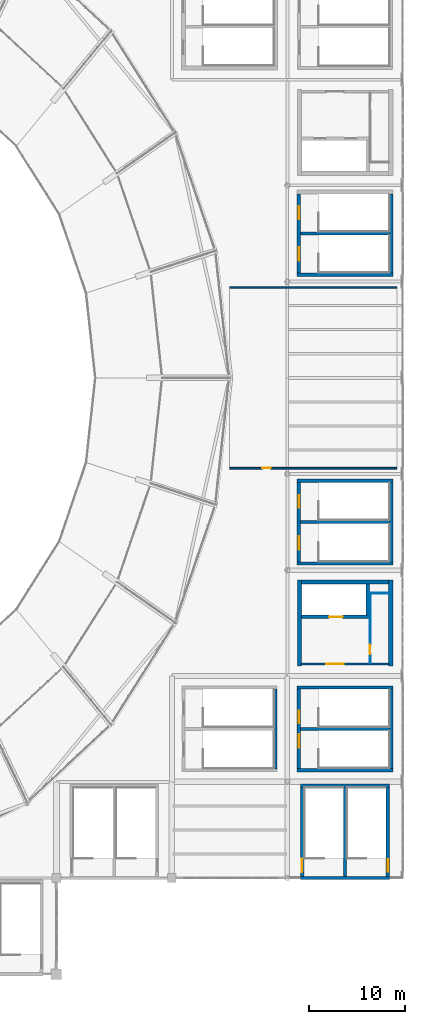
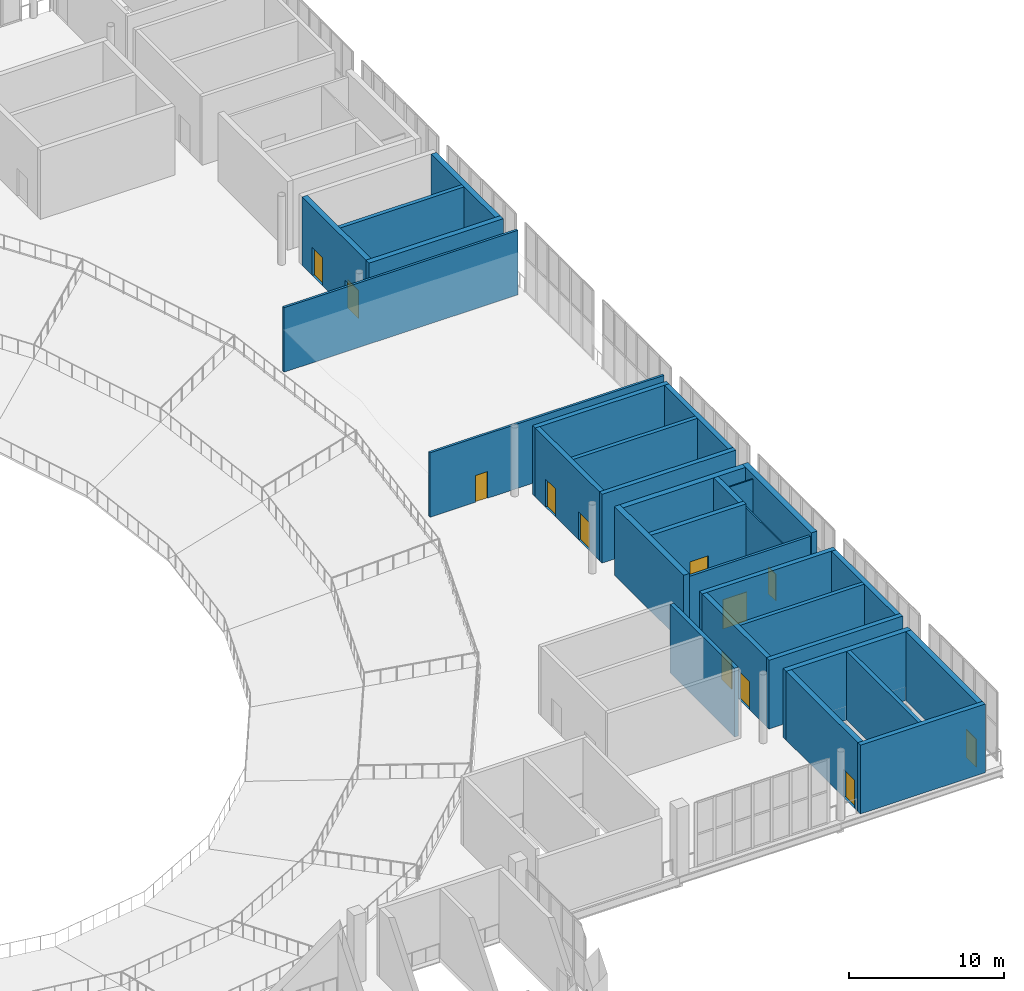
# One storey, part 56 of 74: 30 walls, 12 doors, 12 openings.
"""IFC4 building model written with IfcOpenShell, lengths in metres."""

from ifc_helpers import new_model, si_unit, direction, frame, frame_2d, origin, place, context, subcontext, project, spatial, rectangle, extrude, material, layer, layer_set, type_object, element, fill, save


model = new_model("IFC4")

# Units and contexts
model_context = context("Model", 3, precision=1e-05, world=origin(), true_north=direction((0.0, 1.0)))
body_context = subcontext(model_context, "Body", "Model", "MODEL_VIEW")
ifc_project = project(units=[si_unit("LENGTHUNIT", "METRE"), si_unit("AREAUNIT", "SQUARE_METRE"), si_unit("VOLUMEUNIT", "CUBIC_METRE"), si_unit("PLANEANGLEUNIT", "RADIAN"), si_unit("MASSUNIT", "GRAM", prefix="KILO")], contexts=[model_context])

# Site, building, storey
site_placement = place(None, origin())
site = spatial("IfcSite", under=ifc_project, at=site_placement, CompositionType="ELEMENT")
building_placement = place(site_placement, origin())
building = spatial("IfcBuilding", under=site, at=building_placement, Name="Brinegate Civic Arena", CompositionType="ELEMENT")
storey_placement = place(building_placement, frame((0.0, 0.0, 19.199951171875)))
storey = spatial("IfcBuildingStorey", under=building, at=storey_placement, Name="L04", CompositionType="ELEMENT", Elevation=19.199951171875)

# Walls
ifc_material_1 = material(Name="Concrete C50/60", Category="concrete")
ifc_layer_1 = layer(ifc_material_1, 0.35009765625, Name="Concrete C50/60")
ifc_layer_set_1 = layer_set([ifc_layer_1], Name="Concrete C50/60")
wall_type_1 = type_object("IfcWallType", Name="WALL-CORE-SHEAR-350", PredefinedType="SHEAR", material=ifc_layer_set_1)
for number, where, z_axis, x_axis, name in (
    (1, (157.02490234375, 42.699951171875, 0.0), (0.0, 0.0, 1.0), (1.0, 0.0, 0.0), "Stair ST-10 South Shear Wall L04 (WBD-74)"),
    (2, (157.02490234375, 51.300048828125, 0.0), (0.0, 0.0, 1.0), (1.0, 0.0, 0.0), "Stair ST-10 North Shear Wall L04 (WBD-75)"),
):
    element("IfcWall", number, at=place(storey_placement, frame(where, z_axis=z_axis, x_axis=x_axis)), inside=storey, type_object=wall_type_1, Name=name, PredefinedType="SHEAR", context=body_context, shape_type="SweptSolid", body=[
        extrude(rectangle(XDim=9.9501953125, YDim=0.35009765625, at=frame_2d((4.97509765625, 0.0))), origin(), (0.0, 0.0, 1.0), 5.400146484375),
    ])

# Wall, openings, doors
wall_1_placement = place(storey_placement, frame((157.199951171875, 42.875, 0.0), z_axis=(0.0, 0.0, 1.0), x_axis=(0.0, 1.0, 0.0)))
wall_1 = element("IfcWall", 3, at=wall_1_placement, inside=storey, type_object=wall_type_1, Name="Stair ST-10 West Shear Wall L04 (WBD-76)", PredefinedType="SHEAR", context=body_context, shape_type="SweptSolid", body=[
    extrude(rectangle(XDim=8.25, YDim=0.35009765625, at=frame_2d((4.125, 0.0))), origin(), (0.0, 0.0, 1.0), 5.400146484375),
])
opening_1_placement = place(wall_1_placement, frame((1.27490234375, 0.0, 0.0)))
opening_1 = element("IfcOpeningElement", 4, at=opening_1_placement, cuts=wall_1, Name="Opening D-ST10A-L04", PredefinedType="OPENING", context=body_context, shape_type="SweptSolid", body=[
    extrude(rectangle(XDim=1.39990234375, YDim=2.199951171875, at=frame_2d((0.699951171875, 1.10009765625))), frame((0.0, 0.18505859375, 0.0), z_axis=(0.0, -1.0, 0.0), x_axis=(1.0, 0.0, 0.0)), (0.0, 0.0, 1.0), 0.3701171875),
])
opening_2_placement = place(wall_1_placement, frame((5.614990234375, 0.0, 0.0)))
opening_2 = element("IfcOpeningElement", 5, at=opening_2_placement, cuts=wall_1, Name="Opening D-ST10B-L04", PredefinedType="OPENING", context=body_context, shape_type="SweptSolid", body=[
    extrude(rectangle(XDim=1.320068359375, YDim=2.199951171875, at=frame_2d((0.66015625, 1.10009765625))), frame((0.0, 0.18505859375, 0.0), z_axis=(0.0, -1.0, 0.0), x_axis=(1.0, 0.0, 0.0)), (0.0, 0.0, 1.0), 0.3701171875),
])
ifc_material_2 = material(Name="Galvanized hurricane steel", Category="steel")
door_type_1 = type_object("IfcDoorType", Name="DOOR-STAIR-2200X2200", OperationType="NOTDEFINED", PredefinedType="DOOR", material=ifc_material_2)
door_1_placement = place(opening_2_placement, origin())
door_1 = element("IfcDoor", 6, at=door_1_placement, inside=storey, type_object=door_type_1, Name="Protected Exit Stair Door D-ST10B-L04", OperationType="DOUBLE_DOOR_SINGLE_SWING", OverallHeight=2.199951171875, OverallWidth=1.320068359375, PredefinedType="DOOR", context=body_context, shape_type="SweptSolid", body=[
    extrude(rectangle(XDim=1.320068359375, YDim=2.199951171875, at=frame_2d((0.66015625, 1.10009765625))), frame((0.0, 0.02490234375, 0.0), z_axis=(0.0, -1.0, 0.0), x_axis=(1.0, 0.0, 0.0)), (0.0, 0.0, 1.0), 0.050048828125),
])
fill(opening_2, door_1)
door_type_2 = type_object("IfcDoorType", Name="DOOR-STAIR-2400X2200", OperationType="NOTDEFINED", PredefinedType="DOOR", material=ifc_material_2)
door_2_placement = place(opening_1_placement, origin())
door_2 = element("IfcDoor", 7, at=door_2_placement, inside=storey, type_object=door_type_2, Name="Protected Exit Stair Door D-ST10A-L04", OperationType="DOUBLE_DOOR_SINGLE_SWING", OverallHeight=2.199951171875, OverallWidth=1.39990234375, PredefinedType="DOOR", context=body_context, shape_type="SweptSolid", body=[
    extrude(rectangle(XDim=1.39990234375, YDim=2.199951171875, at=frame_2d((0.699951171875, 1.10009765625))), frame((0.0, 0.02490234375, 0.0), z_axis=(0.0, -1.0, 0.0), x_axis=(1.0, 0.0, 0.0)), (0.0, 0.0, 1.0), 0.050048828125),
])
fill(opening_1, door_2)

# Walls
wall_2_placement = place(storey_placement, frame((166.800048828125, 42.875, 0.0), z_axis=(0.0, 0.0, 1.0), x_axis=(0.0, 1.0, 0.0)))
element("IfcWall", 8, at=wall_2_placement, inside=storey, type_object=wall_type_1, Name="Stair ST-10 East Shear Wall L04 (WBD-77)", PredefinedType="SHEAR", context=body_context, shape_type="SweptSolid", body=[
    extrude(rectangle(XDim=8.25, YDim=0.35009765625, at=frame_2d((4.125, 0.0))), origin(), (0.0, 0.0, 1.0), 5.400146484375),
])
for number, where, z_axis, x_axis, name in (
    (9, (157.02490234375, 21.199951171875, 0.0), (0.0, 0.0, 1.0), (1.0, 0.0, 0.0), "Stair ST-19 South Shear Wall L04 (WBL-46)"),
    (10, (157.02490234375, 29.800048828125, 0.0), (0.0, 0.0, 1.0), (1.0, 0.0, 0.0), "Stair ST-19 North Shear Wall L04 (WBL-47)"),
):
    element("IfcWall", number, at=place(storey_placement, frame(where, z_axis=z_axis, x_axis=x_axis)), inside=storey, type_object=wall_type_1, Name=name, PredefinedType="SHEAR", context=body_context, shape_type="SweptSolid", body=[
        extrude(rectangle(XDim=9.9501953125, YDim=0.35009765625, at=frame_2d((4.97509765625, 0.0))), origin(), (0.0, 0.0, 1.0), 5.400146484375),
    ])

# Wall, openings, doors
wall_3_placement = place(storey_placement, frame((157.199951171875, 21.375, 0.0), z_axis=(0.0, 0.0, 1.0), x_axis=(0.0, 1.0, 0.0)))
wall_3 = element("IfcWall", 11, at=wall_3_placement, inside=storey, type_object=wall_type_1, Name="Stair ST-19 West Shear Wall L04 (WBL-48)", PredefinedType="SHEAR", context=body_context, shape_type="SweptSolid", body=[
    extrude(rectangle(XDim=8.25, YDim=0.35009765625, at=frame_2d((4.125, 0.0))), origin(), (0.0, 0.0, 1.0), 5.400146484375),
])
opening_3_placement = place(wall_3_placement, frame((2.175048828125, 0.0, 0.0)))
opening_3 = element("IfcOpeningElement", 12, at=opening_3_placement, cuts=wall_3, Name="Opening D-ST19A-L04", PredefinedType="OPENING", context=body_context, shape_type="SweptSolid", body=[
    extrude(rectangle(XDim=1.39990234375, YDim=2.199951171875, at=frame_2d((0.699951171875, 1.10009765625))), frame((0.0, 0.18505859375, 0.0), z_axis=(0.0, -1.0, 0.0), x_axis=(1.0, 0.0, 0.0)), (0.0, 0.0, 1.0), 0.3701171875),
])
opening_4_placement = place(wall_3_placement, frame((4.715087890625, 0.0, 0.0)))
opening_4 = element("IfcOpeningElement", 13, at=opening_4_placement, cuts=wall_3, Name="Opening D-ST19B-L04", PredefinedType="OPENING", context=body_context, shape_type="SweptSolid", body=[
    extrude(rectangle(XDim=1.320068359375, YDim=2.199951171875, at=frame_2d((0.66015625, 1.10009765625))), frame((0.0, 0.18505859375, 0.0), z_axis=(0.0, -1.0, 0.0), x_axis=(1.0, 0.0, 0.0)), (0.0, 0.0, 1.0), 0.3701171875),
])
door_3_placement = place(opening_4_placement, origin())
door_3 = element("IfcDoor", 14, at=door_3_placement, inside=storey, type_object=door_type_1, Name="Protected Exit Stair Door D-ST19B-L04", OperationType="DOUBLE_DOOR_SINGLE_SWING", OverallHeight=2.199951171875, OverallWidth=1.320068359375, PredefinedType="DOOR", context=body_context, shape_type="SweptSolid", body=[
    extrude(rectangle(XDim=1.320068359375, YDim=2.199951171875, at=frame_2d((0.66015625, 1.10009765625))), frame((0.0, 0.02490234375, 0.0), z_axis=(0.0, -1.0, 0.0), x_axis=(1.0, 0.0, 0.0)), (0.0, 0.0, 1.0), 0.050048828125),
])
fill(opening_4, door_3)
door_4_placement = place(opening_3_placement, origin())
door_4 = element("IfcDoor", 15, at=door_4_placement, inside=storey, type_object=door_type_2, Name="Protected Exit Stair Door D-ST19A-L04", OperationType="DOUBLE_DOOR_SINGLE_SWING", OverallHeight=2.199951171875, OverallWidth=1.39990234375, PredefinedType="DOOR", context=body_context, shape_type="SweptSolid", body=[
    extrude(rectangle(XDim=1.39990234375, YDim=2.199951171875, at=frame_2d((0.699951171875, 1.10009765625))), frame((0.0, 0.02490234375, 0.0), z_axis=(0.0, -1.0, 0.0), x_axis=(1.0, 0.0, 0.0)), (0.0, 0.0, 1.0), 0.050048828125),
])
fill(opening_3, door_4)

# Wall
wall_4_placement = place(storey_placement, frame((166.800048828125, 21.375, 0.0), z_axis=(0.0, 0.0, 1.0), x_axis=(0.0, 1.0, 0.0)))
element("IfcWall", 16, at=wall_4_placement, inside=storey, type_object=wall_type_1, Name="Stair ST-19 East Shear Wall L04 (WBL-49)", PredefinedType="SHEAR", context=body_context, shape_type="SweptSolid", body=[
    extrude(rectangle(XDim=8.25, YDim=0.35009765625, at=frame_2d((4.125, 0.0))), origin(), (0.0, 0.0, 1.0), 5.400146484375),
])

# Wall, opening, door
wall_5_placement = place(storey_placement, frame((157.4599609375, 37.14990234375, 0.0), z_axis=(0.0, 0.0, 1.0), x_axis=(1.0, 0.0, 0.0)))
wall_5 = element("IfcWall", 17, at=wall_5_placement, inside=storey, type_object=wall_type_1, Name="Core K6 Lift Shaft Front Wall L04 (WBI-16)", PredefinedType="SHEAR", context=body_context, shape_type="SweptSolid", body=[
    extrude(rectangle(XDim=7.06494140625, YDim=0.35009765625, at=frame_2d((3.532470703125, 0.0))), origin(), (0.0, 0.0, 1.0), 5.400146484375),
])
opening_5_placement = place(wall_5_placement, frame((2.889892578125, 0.0, 0.0)))
opening_5 = element("IfcOpeningElement", 18, at=opening_5_placement, cuts=wall_5, Name="Opening LD-GL2-L04", PredefinedType="OPENING", context=body_context, shape_type="SweptSolid", body=[
    extrude(rectangle(XDim=1.39990234375, YDim=2.300048828125, at=frame_2d((0.699951171875, 1.14990234375))), frame((0.0, 0.18505859375, 0.0), z_axis=(0.0, -1.0, 0.0), x_axis=(1.0, 0.0, 0.0)), (0.0, 0.0, 1.0), 0.3701171875),
])
ifc_material_3 = material(Name="Architectural stainless steel balustrade", Category="steel")
door_type_3 = type_object("IfcDoorType", Name="DOOR-LIFT-1400X2300", OperationType="SLIDING_TO_LEFT", PredefinedType="DOOR", material=ifc_material_3)
door_5_placement = place(opening_5_placement, origin())
door_5 = element("IfcDoor", 19, at=door_5_placement, inside=storey, type_object=door_type_3, Name="Sliding Lift Landing Door LD-GL2-L04", OperationType="SLIDING_TO_LEFT", OverallHeight=2.300048828125, OverallWidth=1.39990234375, PredefinedType="DOOR", context=body_context, shape_type="SweptSolid", body=[
    extrude(rectangle(XDim=1.39990234375, YDim=2.300048828125, at=frame_2d((0.699951171875, 1.14990234375))), frame((0.0, 0.02490234375, 0.0), z_axis=(0.0, -1.0, 0.0), x_axis=(1.0, 0.0, 0.0)), (0.0, 0.0, 1.0), 0.050048828125),
])
fill(opening_5, door_5)

# Walls
wall_6_placement = place(storey_placement, frame((164.35009765625, 37.324951171875, 0.0), z_axis=(0.0, 0.0, 1.0), x_axis=(0.0, 1.0, 0.0)))
element("IfcWall", 20, at=wall_6_placement, inside=storey, type_object=wall_type_1, Name="Core K6 Lift Shaft End Wall L04 (WBI-17)", PredefinedType="SHEAR", context=body_context, shape_type="SweptSolid", body=[
    extrude(rectangle(XDim=3.215087890625, YDim=0.35009765625, at=frame_2d((1.607421875, 0.0))), origin(), (0.0, 0.0, 1.0), 5.400146484375),
])
ifc_layer_2 = layer(ifc_material_1, 0.389892578125, Name="Concrete C50/60")
ifc_layer_set_2 = layer_set([ifc_layer_2], Name="Concrete C50/60")
wall_type_2 = type_object("IfcWallType", Name="WALL-CORE-SHEAR-390", PredefinedType="SHEAR", material=ifc_layer_set_2)
wall_7_placement = place(storey_placement, frame((157.35498046875, 19.60009765625, 0.0), z_axis=(0.0, 0.0, 1.0), x_axis=(1.0, 0.0, 0.0)))
element("IfcWall", 21, at=wall_7_placement, inside=storey, type_object=wall_type_2, Name="Stair ST-06 North Shear Wall L04 (WBC-64)", PredefinedType="SHEAR", context=body_context, shape_type="SweptSolid", body=[
    extrude(rectangle(XDim=9.2900390625, YDim=0.389892578125, at=frame_2d((4.64501953125, 0.0))), origin(), (0.0, 0.0, 1.0), 5.400146484375),
])

# Wall, opening, door
wall_8_placement = place(storey_placement, frame((157.550048828125, 10.175048828125, 0.0), z_axis=(0.0, 0.0, 1.0), x_axis=(0.0, 1.0, 0.0)))
wall_8 = element("IfcWall", 22, at=wall_8_placement, inside=storey, type_object=wall_type_2, Name="Stair ST-06 West Shear Wall L04 (WBC-65)", PredefinedType="SHEAR", context=body_context, shape_type="SweptSolid", body=[
    extrude(rectangle(XDim=9.22998046875, YDim=0.389892578125, at=frame_2d((4.614990234375, 0.0))), origin(), (0.0, 0.0, 1.0), 5.400146484375),
])
opening_6_placement = place(wall_8_placement, frame((0.425048828125, 0.0, 0.0)))
opening_6 = element("IfcOpeningElement", 23, at=opening_6_placement, cuts=wall_8, Name="Opening D-ST06A-L04", PredefinedType="OPENING", context=body_context, shape_type="SweptSolid", body=[
    extrude(rectangle(XDim=1.39990234375, YDim=2.199951171875, at=frame_2d((0.699951171875, 1.10009765625))), frame((0.0, 0.204833984375, 0.0), z_axis=(0.0, -1.0, 0.0), x_axis=(1.0, 0.0, 0.0)), (0.0, 0.0, 1.0), 0.409912109375),
])
door_6_placement = place(opening_6_placement, frame((1.39990234375, 0.0, 0.0), z_axis=(0.0, 0.0, 1.0), x_axis=(-1.0, 0.0, 0.0)))
door_6 = element("IfcDoor", 24, at=door_6_placement, inside=storey, type_object=door_type_2, Name="Protected Exit Stair Door D-ST06A-L04", OperationType="DOUBLE_DOOR_SINGLE_SWING", OverallHeight=2.199951171875, OverallWidth=1.39990234375, PredefinedType="DOOR", context=body_context, shape_type="SweptSolid", body=[
    extrude(rectangle(XDim=1.39990234375, YDim=2.199951171875, at=frame_2d((0.699951171875, 1.10009765625))), frame((0.0, 0.02490234375, 0.0), z_axis=(0.0, -1.0, 0.0), x_axis=(1.0, 0.0, 0.0)), (0.0, 0.0, 1.0), 0.050048828125),
])
fill(opening_6, door_6)

wall_9_placement = place(storey_placement, frame((166.449951171875, 10.175048828125, 0.0), z_axis=(0.0, 0.0, 1.0), x_axis=(0.0, 1.0, 0.0)))
wall_9 = element("IfcWall", 25, at=wall_9_placement, inside=storey, type_object=wall_type_2, Name="Stair ST-06 East Shear Wall L04 (WBC-66)", PredefinedType="SHEAR", context=body_context, shape_type="SweptSolid", body=[
    extrude(rectangle(XDim=9.22998046875, YDim=0.389892578125, at=frame_2d((4.614990234375, 0.0))), origin(), (0.0, 0.0, 1.0), 5.400146484375),
])
opening_7_placement = place(wall_9_placement, frame((0.465087890625, 0.0, 0.0)))
opening_7 = element("IfcOpeningElement", 26, at=opening_7_placement, cuts=wall_9, Name="Opening D-ST06B-L04", PredefinedType="OPENING", context=body_context, shape_type="SweptSolid", body=[
    extrude(rectangle(XDim=1.320068359375, YDim=2.199951171875, at=frame_2d((0.66015625, 1.10009765625))), frame((0.0, 0.204833984375, 0.0), z_axis=(0.0, -1.0, 0.0), x_axis=(1.0, 0.0, 0.0)), (0.0, 0.0, 1.0), 0.409912109375),
])
door_7_placement = place(opening_7_placement, origin())
door_7 = element("IfcDoor", 27, at=door_7_placement, inside=storey, type_object=door_type_1, Name="Protected Exit Stair Door D-ST06B-L04", OperationType="DOUBLE_DOOR_SINGLE_SWING", OverallHeight=2.199951171875, OverallWidth=1.320068359375, PredefinedType="DOOR", context=body_context, shape_type="SweptSolid", body=[
    extrude(rectangle(XDim=1.320068359375, YDim=2.199951171875, at=frame_2d((0.66015625, 1.10009765625))), frame((0.0, 0.02490234375, 0.0), z_axis=(0.0, -1.0, 0.0), x_axis=(1.0, 0.0, 0.0)), (0.0, 0.0, 1.0), 0.050048828125),
])
fill(opening_7, door_7)

# Wall
wall_10_placement = place(storey_placement, frame((157.0048828125, 72.699951171875, 0.0), z_axis=(0.0, 0.0, 1.0), x_axis=(1.0, 0.0, 0.0)))
element("IfcWall", 28, at=wall_10_placement, inside=storey, type_object=wall_type_2, Name="Stair ST-09 South Shear Wall L04 (WBD-49)", PredefinedType="SHEAR", context=body_context, shape_type="SweptSolid", body=[
    extrude(rectangle(XDim=9.990234375, YDim=0.389892578125, at=frame_2d((4.9951171875, 0.0))), origin(), (0.0, 0.0, 1.0), 5.400146484375),
])

# Wall, openings, doors
wall_11_placement = place(storey_placement, frame((157.199951171875, 72.89501953125, 0.0), z_axis=(0.0, 0.0, 1.0), x_axis=(0.0, 1.0, 0.0)))
wall_11 = element("IfcWall", 29, at=wall_11_placement, inside=storey, type_object=wall_type_2, Name="Stair ST-09 West Shear Wall L04 (WBD-51)", PredefinedType="SHEAR", context=body_context, shape_type="SweptSolid", body=[
    extrude(rectangle(XDim=8.2099609375, YDim=0.389892578125, at=frame_2d((4.10498046875, 0.0))), origin(), (0.0, 0.0, 1.0), 5.400146484375),
])
opening_8_placement = place(wall_11_placement, frame((1.2548828125, 0.0, 0.0)))
opening_8 = element("IfcOpeningElement", 30, at=opening_8_placement, cuts=wall_11, Name="Opening D-ST09A-L04", PredefinedType="OPENING", context=body_context, shape_type="SweptSolid", body=[
    extrude(rectangle(XDim=1.39990234375, YDim=2.199951171875, at=frame_2d((0.699951171875, 1.10009765625))), frame((0.0, 0.204833984375, 0.0), z_axis=(0.0, -1.0, 0.0), x_axis=(1.0, 0.0, 0.0)), (0.0, 0.0, 1.0), 0.409912109375),
])
opening_9_placement = place(wall_11_placement, frame((5.594970703125, 0.0, 0.0)))
opening_9 = element("IfcOpeningElement", 31, at=opening_9_placement, cuts=wall_11, Name="Opening D-ST09B-L04", PredefinedType="OPENING", context=body_context, shape_type="SweptSolid", body=[
    extrude(rectangle(XDim=1.320068359375, YDim=2.199951171875, at=frame_2d((0.66015625, 1.10009765625))), frame((0.0, 0.204833984375, 0.0), z_axis=(0.0, -1.0, 0.0), x_axis=(1.0, 0.0, 0.0)), (0.0, 0.0, 1.0), 0.409912109375),
])
door_8_placement = place(opening_9_placement, origin())
door_8 = element("IfcDoor", 32, at=door_8_placement, inside=storey, type_object=door_type_1, Name="Protected Exit Stair Door D-ST09B-L04", OperationType="DOUBLE_DOOR_SINGLE_SWING", OverallHeight=2.199951171875, OverallWidth=1.320068359375, PredefinedType="DOOR", context=body_context, shape_type="SweptSolid", body=[
    extrude(rectangle(XDim=1.320068359375, YDim=2.199951171875, at=frame_2d((0.66015625, 1.10009765625))), frame((0.0, 0.02490234375, 0.0), z_axis=(0.0, -1.0, 0.0), x_axis=(1.0, 0.0, 0.0)), (0.0, 0.0, 1.0), 0.050048828125),
])
fill(opening_9, door_8)
door_9_placement = place(opening_8_placement, origin())
door_9 = element("IfcDoor", 33, at=door_9_placement, inside=storey, type_object=door_type_2, Name="Protected Exit Stair Door D-ST09A-L04", OperationType="DOUBLE_DOOR_SINGLE_SWING", OverallHeight=2.199951171875, OverallWidth=1.39990234375, PredefinedType="DOOR", context=body_context, shape_type="SweptSolid", body=[
    extrude(rectangle(XDim=1.39990234375, YDim=2.199951171875, at=frame_2d((0.699951171875, 1.10009765625))), frame((0.0, 0.02490234375, 0.0), z_axis=(0.0, -1.0, 0.0), x_axis=(1.0, 0.0, 0.0)), (0.0, 0.0, 1.0), 0.050048828125),
])
fill(opening_8, door_9)

# Walls
wall_12_placement = place(storey_placement, frame((166.800048828125, 72.89501953125, 0.0), z_axis=(0.0, 0.0, 1.0), x_axis=(0.0, 1.0, 0.0)))
element("IfcWall", 34, at=wall_12_placement, inside=storey, type_object=wall_type_2, Name="Stair ST-09 East Shear Wall L04 (WBD-52)", PredefinedType="SHEAR", context=body_context, shape_type="SweptSolid", body=[
    extrude(rectangle(XDim=8.2099609375, YDim=0.389892578125, at=frame_2d((4.10498046875, 0.0))), origin(), (0.0, 0.0, 1.0), 5.400146484375),
])
ifc_layer_3 = layer(ifc_material_1, 0.419921875, Name="Concrete C50/60")
ifc_layer_set_3 = layer_set([ifc_layer_3], Name="Concrete C50/60")
wall_type_3 = type_object("IfcWallType", Name="WALL-CORE-SHEAR-420", PredefinedType="SHEAR", material=ifc_layer_set_3)
for number, where, z_axis, x_axis, name in (
    (35, (157.25, 32.0400390625, 0.0), (0.0, 0.0, 1.0), (0.0, 1.0, 0.0), "Core K6 West Shear Wall L04 (WBI-13)"),
    (36, (166.75, 32.0400390625, 0.0), (0.0, 0.0, 1.0), (0.0, 1.0, 0.0), "Core K6 East Shear Wall L04 (WBI-14)"),
):
    element("IfcWall", number, at=place(storey_placement, frame(where, z_axis=z_axis, x_axis=x_axis)), inside=storey, type_object=wall_type_3, Name=name, PredefinedType="SHEAR", context=body_context, shape_type="SweptSolid", body=[
        extrude(rectangle(XDim=8.919921875, YDim=0.419921875, at=frame_2d((4.4599609375, 0.0))), origin(), (0.0, 0.0, 1.0), 5.400146484375),
    ])
wall_13_placement = place(storey_placement, frame((157.4599609375, 40.75, 0.0), z_axis=(0.0, 0.0, 1.0), x_axis=(1.0, 0.0, 0.0)))
element("IfcWall", 37, at=wall_13_placement, inside=storey, type_object=wall_type_3, Name="Core K6 North Shear Wall L04 (WBI-15)", PredefinedType="SHEAR", context=body_context, shape_type="SweptSolid", body=[
    extrude(rectangle(XDim=9.080078125, YDim=0.419921875, at=frame_2d((4.5400390625, 0.0))), origin(), (0.0, 0.0, 1.0), 5.400146484375),
])
ifc_layer_4 = layer(ifc_material_1, 0.35009765625, Name="Concrete C50/60")
ifc_layer_set_4 = layer_set([ifc_layer_4], Name="Concrete C50/60")
wall_type_4 = type_object("IfcWallType", Name="WALL-EXT-STAIR-SHEAR-350", PredefinedType="SHEAR", material=ifc_layer_set_4)
wall_14_placement = place(storey_placement, frame((157.35498046875, 10.0, 0.0), z_axis=(0.0, 0.0, 1.0), x_axis=(1.0, 0.0, 0.0)))
element("IfcWall", 38, at=wall_14_placement, inside=storey, type_object=wall_type_4, Name="Stair ST-06 South Shear Wall L04 (WBC-63)", PredefinedType="SHEAR", context=body_context, shape_type="SweptSolid", body=[
    extrude(rectangle(XDim=9.2900390625, YDim=0.35009765625, at=frame_2d((4.64501953125, 0.0))), origin(), (0.0, 0.0, 1.0), 5.400146484375),
])

# Wall, opening, door
ifc_material_4 = material(Name="Fire-rated gypsum partition assembly")
ifc_layer_5 = layer(ifc_material_4, 0.175048828125, Name="Fire-rated gypsum partition assembly")
ifc_layer_set_5 = layer_set([ifc_layer_5], Name="Fire-rated gypsum partition assembly")
wall_type_5 = type_object("IfcWallType", Name="WALL-PART-RATED-175", PredefinedType="PARTITIONING", material=ifc_layer_set_5)
wall_15_placement = place(storey_placement, frame((167.39990234375, 52.60009765625, 0.0), z_axis=(0.0, 0.0, 1.0), x_axis=(-1.0, 0.0, 0.0)))
wall_15 = element("IfcWall", 39, at=wall_15_placement, inside=storey, type_object=wall_type_5, Name="Upper East Concourse Fan Lounge Partition Wall E2 (WBK-36)", PredefinedType="PARTITIONING", context=body_context, shape_type="SweptSolid", body=[
    extrude(rectangle(XDim=17.39990234375, YDim=0.175048828125, at=frame_2d((8.699951171875, 0.0))), origin(), (0.0, 0.0, 1.0), 5.070068359375),
])
opening_10_placement = place(wall_15_placement, frame((13.1220703125, 0.0, 0.0)))
opening_10 = element("IfcOpeningElement", 40, at=opening_10_placement, cuts=wall_15, Name="Opening D-L04-218", PredefinedType="OPENING", context=body_context, shape_type="SweptSolid", body=[
    extrude(rectangle(XDim=0.89990234375, YDim=2.10009765625, at=frame_2d((0.449951171875, 1.050048828125))), frame((0.0, 0.097412109375, 0.0), z_axis=(0.0, -1.0, 0.0), x_axis=(1.0, 0.0, 0.0)), (0.0, 0.0, 1.0), 0.195068359375),
])
ifc_material_5 = material(Name="Hardwood acoustic timber door", Category="wood")
door_type_4 = type_object("IfcDoorType", Name="DOOR-WC-900X2100", OperationType="NOTDEFINED", PredefinedType="DOOR", material=ifc_material_5)
door_10_placement = place(opening_10_placement, origin())
door_10 = element("IfcDoor", 41, at=door_10_placement, inside=storey, type_object=door_type_4, Name="Upper East Concourse Fan Lounge Door D-L04-218", OperationType="SINGLE_SWING_LEFT", OverallHeight=2.10009765625, OverallWidth=0.89990234375, PredefinedType="DOOR", context=body_context, shape_type="SweptSolid", body=[
    extrude(rectangle(XDim=0.89990234375, YDim=2.10009765625, at=frame_2d((0.449951171875, 1.050048828125))), frame((0.0, 0.02490234375, 0.0), z_axis=(0.0, -1.0, 0.0), x_axis=(1.0, 0.0, 0.0)), (0.0, 0.0, 1.0), 0.050048828125),
])
fill(opening_10, door_10)

# Wall
wall_16_placement = place(storey_placement, frame((150.0, 71.39990234375, 0.0), z_axis=(0.0, 0.0, 1.0), x_axis=(1.0, 0.0, 0.0)))
element("IfcWall", 42, at=wall_16_placement, inside=storey, type_object=wall_type_5, Name="Upper East Concourse Fan Lounge Partition Wall E7 (WBK-37)", PredefinedType="PARTITIONING", context=body_context, shape_type="SweptSolid", body=[
    extrude(rectangle(XDim=17.39990234375, YDim=0.175048828125, at=frame_2d((8.699951171875, 0.0))), origin(), (0.0, 0.0, 1.0), 5.070068359375),
])

# Wall, opening, door
ifc_material_6 = material(Name="Concrete blockwork masonry", Category="masonry")
ifc_layer_6 = layer(ifc_material_6, 0.18994140625, Name="Concrete blockwork masonry")
ifc_layer_set_6 = layer_set([ifc_layer_6], Name="Concrete blockwork masonry")
wall_type_6 = type_object("IfcWallType", Name="WALL-PART-RATED-190", PredefinedType="PARTITIONING", material=ifc_layer_set_6)
wall_17_placement = place(storey_placement, frame((157.469970703125, 32.25, 0.0), z_axis=(0.0, 0.0, 1.0), x_axis=(1.0, 0.0, 0.0)))
wall_17 = element("IfcWall", 43, at=wall_17_placement, inside=storey, type_object=wall_type_6, Name="Core K6 Concourse Lobby Wall L04 (WBI-18)", PredefinedType="PARTITIONING", context=body_context, shape_type="SweptSolid", body=[
    extrude(rectangle(XDim=9.06005859375, YDim=0.18994140625, at=frame_2d((4.530029296875, 0.0))), origin(), (0.0, 0.0, 1.0), 5.070068359375),
])
opening_11_placement = place(wall_17_placement, frame((2.60009765625, 0.0, 0.0)))
opening_11 = element("IfcOpeningElement", 44, at=opening_11_placement, cuts=wall_17, Name="Opening D-K6L-L04", PredefinedType="OPENING", context=body_context, shape_type="SweptSolid", body=[
    extrude(rectangle(XDim=1.800048828125, YDim=2.300048828125, at=frame_2d((0.89990234375, 1.14990234375))), frame((0.0, 0.10498046875, 0.0), z_axis=(0.0, -1.0, 0.0), x_axis=(1.0, 0.0, 0.0)), (0.0, 0.0, 1.0), 0.2099609375),
])
ifc_material_7 = material(Name="Marine grade aluminium", Category="aluminium")
door_type_5 = type_object("IfcDoorType", Name="DOOR-CONC-1800X2300", OperationType="NOTDEFINED", PredefinedType="DOOR", material=ifc_material_7)
door_11_placement = place(opening_11_placement, origin())
door_11 = element("IfcDoor", 45, at=door_11_placement, inside=storey, type_object=door_type_5, Name="Lift Lobby Door D-K6L-L04", OperationType="DOUBLE_DOOR_SINGLE_SWING", OverallHeight=2.300048828125, OverallWidth=1.800048828125, PredefinedType="DOOR", context=body_context, shape_type="SweptSolid", body=[
    extrude(rectangle(XDim=1.800048828125, YDim=2.300048828125, at=frame_2d((0.89990234375, 1.14990234375))), frame((0.0, 0.02490234375, 0.0), z_axis=(0.0, -1.0, 0.0), x_axis=(1.0, 0.0, 0.0)), (0.0, 0.0, 1.0), 0.050048828125),
])
fill(opening_11, door_11)

ifc_layer_7 = layer(ifc_material_6, 0.10009765625, Name="Concrete blockwork masonry")
ifc_layer_set_7 = layer_set([ifc_layer_7], Name="Concrete blockwork masonry")
wall_type_7 = type_object("IfcWallType", Name="WALL-PART-WET-100", PredefinedType="PARTITIONING", material=ifc_layer_set_7)
wall_18_placement = place(storey_placement, frame((164.60009765625, 32.35009765625, 0.0), z_axis=(0.0, 0.0, 1.0), x_axis=(0.0, 1.0, 0.0)))
wall_18 = element("IfcWall", 46, at=wall_18_placement, inside=storey, type_object=wall_type_7, Name="Accessible WC K6 Partition L04 (WBI-19)", PredefinedType="PARTITIONING", context=body_context, shape_type="SweptSolid", body=[
    extrude(rectangle(XDim=7.25, YDim=0.10009765625, at=frame_2d((3.625, 0.0))), origin(), (0.0, 0.0, 1.0), 5.070068359375),
])
opening_12_placement = place(wall_18_placement, frame((0.89990234375, 0.0, 0.0)))
opening_12 = element("IfcOpeningElement", 47, at=opening_12_placement, cuts=wall_18, Name="Opening D-K6W-L04", PredefinedType="OPENING", context=body_context, shape_type="SweptSolid", body=[
    extrude(rectangle(XDim=1.0, YDim=2.10009765625, at=frame_2d((0.5, 1.050048828125))), frame((0.0, 0.06005859375, 0.0), z_axis=(0.0, -1.0, 0.0), x_axis=(1.0, 0.0, 0.0)), (0.0, 0.0, 1.0), 0.1201171875),
])
door_type_6 = type_object("IfcDoorType", Name="DOOR-AWC-1000X2100", OperationType="NOTDEFINED", PredefinedType="DOOR", material=ifc_material_5)
door_12_placement = place(opening_12_placement, origin())
door_12 = element("IfcDoor", 48, at=door_12_placement, inside=storey, type_object=door_type_6, Name="Accessible WC Door D-K6W-L04", OperationType="SINGLE_SWING_LEFT", OverallHeight=2.10009765625, OverallWidth=1.0, PredefinedType="DOOR", context=body_context, shape_type="SweptSolid", body=[
    extrude(rectangle(XDim=1.0, YDim=2.10009765625, at=frame_2d((0.5, 1.050048828125))), frame((0.0, 0.02490234375, 0.0), z_axis=(0.0, -1.0, 0.0), x_axis=(1.0, 0.0, 0.0)), (0.0, 0.0, 1.0), 0.050048828125),
])
fill(opening_12, door_12)

# Walls
wall_19_placement = place(storey_placement, frame((164.60009765625, 39.60009765625, 0.0), z_axis=(0.0, 0.0, 1.0), x_axis=(1.0, 0.0, 0.0)))
element("IfcWall", 49, at=wall_19_placement, inside=storey, type_object=wall_type_7, Name="Accessible WC K6 Back Partition L04 (WBI-20)", PredefinedType="PARTITIONING", context=body_context, shape_type="SweptSolid", body=[
    extrude(rectangle(XDim=2.0, YDim=0.10009765625, at=frame_2d((1.0, 0.0))), origin(), (0.0, 0.0, 1.0), 5.070068359375),
])
ifc_layer_8 = layer(ifc_material_1, 0.2900390625, Name="Concrete C50/60")
ifc_layer_set_8 = layer_set([ifc_layer_8], Name="Concrete C50/60")
wall_type_8 = type_object("IfcWallType", Name="WALL-STAIR-SHEAR-290", PredefinedType="SHEAR", material=ifc_layer_set_8)
wall_20_placement = place(storey_placement, frame((162.0, 10.175048828125, 0.0), z_axis=(0.0, 0.0, 1.0), x_axis=(0.0, 1.0, 0.0)))
element("IfcWall", 50, at=wall_20_placement, inside=storey, type_object=wall_type_8, Name="Stair ST-06 Central Dividing Shear Wall L04 (WBC-67)", PredefinedType="SHEAR", context=body_context, shape_type="SweptSolid", body=[
    extrude(rectangle(XDim=9.22998046875, YDim=0.2900390625, at=frame_2d((4.614990234375, 0.0))), origin(), (0.0, 0.0, 1.0), 5.400146484375),
])
wall_21_placement = place(storey_placement, frame((157.39501953125, 77.0, 0.0), z_axis=(0.0, 0.0, 1.0), x_axis=(1.0, 0.0, 0.0)))
element("IfcWall", 51, at=wall_21_placement, inside=storey, type_object=wall_type_8, Name="Stair ST-09 Central Dividing Shear Wall L04 (WBD-53)", PredefinedType="SHEAR", context=body_context, shape_type="SweptSolid", body=[
    extrude(rectangle(XDim=9.2099609375, YDim=0.2900390625, at=frame_2d((4.60498046875, 0.0))), origin(), (0.0, 0.0, 1.0), 5.400146484375),
])
wall_22_placement = place(storey_placement, frame((157.375, 47.0, 0.0), z_axis=(0.0, 0.0, 1.0), x_axis=(1.0, 0.0, 0.0)))
element("IfcWall", 52, at=wall_22_placement, inside=storey, type_object=wall_type_8, Name="Stair ST-10 Central Dividing Shear Wall L04 (WBD-78)", PredefinedType="SHEAR", context=body_context, shape_type="SweptSolid", body=[
    extrude(rectangle(XDim=9.25, YDim=0.2900390625, at=frame_2d((4.625, 0.0))), origin(), (0.0, 0.0, 1.0), 5.400146484375),
])
wall_23_placement = place(storey_placement, frame((154.800048828125, 21.344970703125, 0.0), z_axis=(0.0, 0.0, 1.0), x_axis=(0.0, 1.0, 0.0)))
element("IfcWall", 53, at=wall_23_placement, inside=storey, type_object=wall_type_8, Name="Stair ST-17 East Shear Wall L04 (WBK-98)", PredefinedType="SHEAR", context=body_context, shape_type="SweptSolid", body=[
    extrude(rectangle(XDim=8.31005859375, YDim=0.2900390625, at=frame_2d((4.155029296875, 0.0))), origin(), (0.0, 0.0, 1.0), 5.400146484375),
])
wall_24_placement = place(storey_placement, frame((157.375, 25.5, 0.0), z_axis=(0.0, 0.0, 1.0), x_axis=(1.0, 0.0, 0.0)))
element("IfcWall", 54, at=wall_24_placement, inside=storey, type_object=wall_type_8, Name="Stair ST-19 Central Dividing Shear Wall L04 (WBL-50)", PredefinedType="SHEAR", context=body_context, shape_type="SweptSolid", body=[
    extrude(rectangle(XDim=9.25, YDim=0.2900390625, at=frame_2d((4.625, 0.0))), origin(), (0.0, 0.0, 1.0), 5.400146484375),
])

save(model, "model.ifc")
